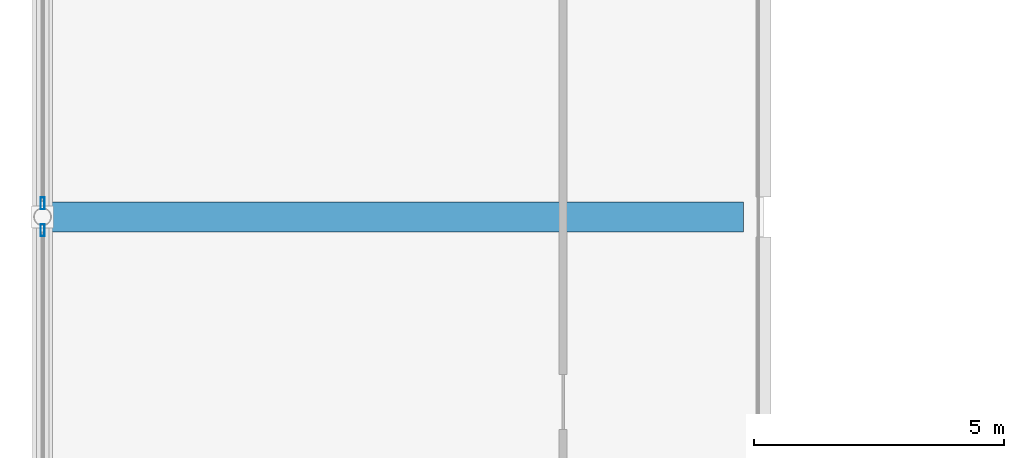
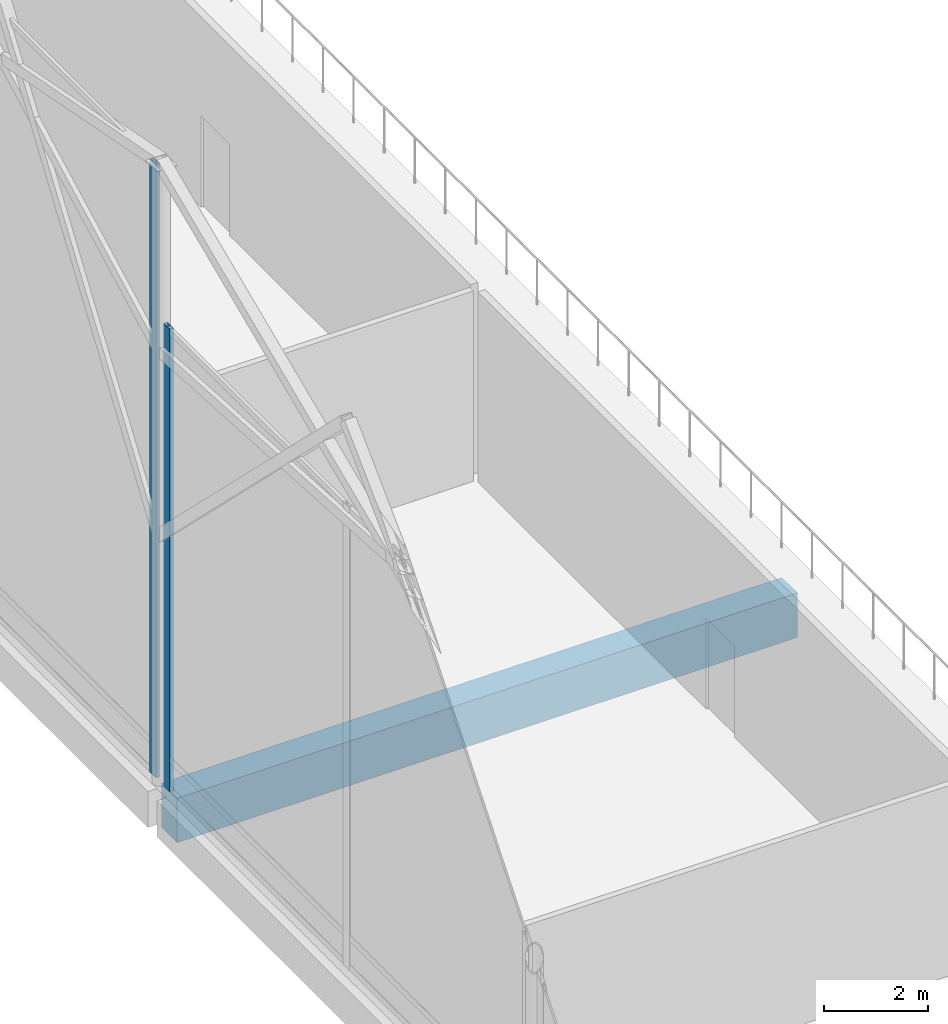
# One storey, part 52 of 220: 2 members, 1 beam, 2 elements without a shape of their own.
"""IFC4 building model written with IfcOpenShell, lengths in metres."""

from ifc_helpers import new_model, si_unit, direction, frame, origin, origin_2d, place, context, subcontext, project, spatial, rectangle, hollow_rectangle, extrude, material, material_profile, profile_set, type_object, element, aggregate, save


model = new_model("IFC4")

# Units and contexts
model_context = context("Model", 3, precision=1e-05, world=origin(), true_north=direction((0.0, 1.0)))
body_context = subcontext(model_context, "Body", "Model", "MODEL_VIEW")
ifc_project = project(units=[si_unit("LENGTHUNIT", "METRE"), si_unit("AREAUNIT", "SQUARE_METRE"), si_unit("VOLUMEUNIT", "CUBIC_METRE"), si_unit("PLANEANGLEUNIT", "RADIAN"), si_unit("MASSUNIT", "GRAM", prefix="KILO")], contexts=[model_context])

# Site, building, storey
site_placement = place(None, origin())
site = spatial("IfcSite", under=ifc_project, at=site_placement, CompositionType="ELEMENT")
building_placement = place(site_placement, origin())
building = spatial("IfcBuilding", under=site, at=building_placement, Name="Cendralis Lancet Convention Centre", CompositionType="ELEMENT")
storey_placement = place(building_placement, frame((0.0, 0.0, 5.39990234375)))
storey = spatial("IfcBuildingStorey", under=building, at=storey_placement, Name="L01", CompositionType="ELEMENT", Elevation=5.39990234375)

# Curtain wall, member
ifc_material_1 = material(Name="Anodised bronze architectural aluminium", Category="aluminium")
curtain_wall_type = type_object("IfcCurtainWallType", Name="ARC-CW-GB02", PredefinedType="USERDEFINED", material=ifc_material_1)
curtain_wall_1_placement = place(storey_placement, origin())
curtain_wall_1 = element("IfcCurtainWall", 1, at=curtain_wall_1_placement, inside=storey, type_object=curtain_wall_type, Name="L01 Curtain Wall CW-GB2 #100", ObjectType="CURTAIN WALL", PredefinedType="USERDEFINED")
ifc_material_profile_1 = material_profile(ifc_material_1, hollow_rectangle(XDim=0.080078125, YDim=0.239990234375, WallThickness=0.0048828125, at=origin_2d()), Name="AL-MULL 80x240x5.0")
ifc_profile_set_1 = profile_set([ifc_material_profile_1], Name="Anodised bronze architectural aluminium")
member_type = type_object("IfcMemberType", Name="ARC-CW-ML03", PredefinedType="MULLION", material=ifc_profile_set_1)
member_1_placement = place(storey_placement, frame((0.0, 78.93212890625, 0.0), z_axis=(0.0, 0.0, 1.0), x_axis=(1.0, 0.0, 0.0)))
member_1 = element("IfcMember", 2, at=member_1_placement, type_object=member_type, Name="Mullion CW2-CW-GB2-L01-100-M2", PredefinedType="MULLION", context=body_context, shape_type="SweptSolid", body=[
    extrude(hollow_rectangle(XDim=0.080078125, YDim=0.239990234375, WallThickness=0.0048828125, at=origin_2d()), origin(), (0.0, 0.0, 1.0), 10.901123046875),
])
aggregate(curtain_wall_1, [member_1])

curtain_wall_2_placement = place(storey_placement, origin())
curtain_wall_2 = element("IfcCurtainWall", 3, at=curtain_wall_2_placement, inside=storey, type_object=curtain_wall_type, Name="L01 Curtain Wall CW-GB2 #101", ObjectType="CURTAIN WALL", PredefinedType="USERDEFINED")
member_2_placement = place(storey_placement, frame((0.0, 79.4677734375, 0.0), z_axis=(0.0, 0.0, 1.0), x_axis=(1.0, 0.0, 0.0)))
member_2 = element("IfcMember", 4, at=member_2_placement, type_object=member_type, Name="Mullion CW2-CW-GB2-L01-101-M0", PredefinedType="MULLION", context=body_context, shape_type="SweptSolid", body=[
    extrude(hollow_rectangle(XDim=0.080078125, YDim=0.239990234375, WallThickness=0.0048828125, at=origin_2d()), origin(), (0.0, 0.0, 1.0), 14.4560546875),
])
aggregate(curtain_wall_2, [member_2])

# Beam
ifc_material_2 = material(Name="Concrete G40 (C40/50)", Category="concrete")
ifc_material_profile_2 = material_profile(ifc_material_2, rectangle(XDim=0.60009765625, YDim=1.050048828125, at=origin_2d()), Name="RCB 600x1050")
ifc_profile_set_2 = profile_set([ifc_material_profile_2], Name="Concrete G40 (C40/50)")
beam_type = type_object("IfcBeamType", Name="STR-BM-BG03", PredefinedType="BEAM", material=ifc_profile_set_2)
beam_placement = place(storey_placement, frame((0.177734375, 79.199951171875, -0.804931640625), z_axis=(1.0, 0.0, 0.0), x_axis=(0.0, 1.0, 0.0)))
element("IfcBeam", 5, at=beam_placement, inside=storey, type_object=beam_type, Name="L01 Beam BG03 #1285", PredefinedType="BEAM", context=body_context, shape_type="SweptSolid", body=[
    extrude(rectangle(XDim=0.60009765625, YDim=1.050048828125, at=origin_2d()), origin(), (0.0, 0.0, 1.0), 13.822265625),
])

save(model, "model.ifc")
